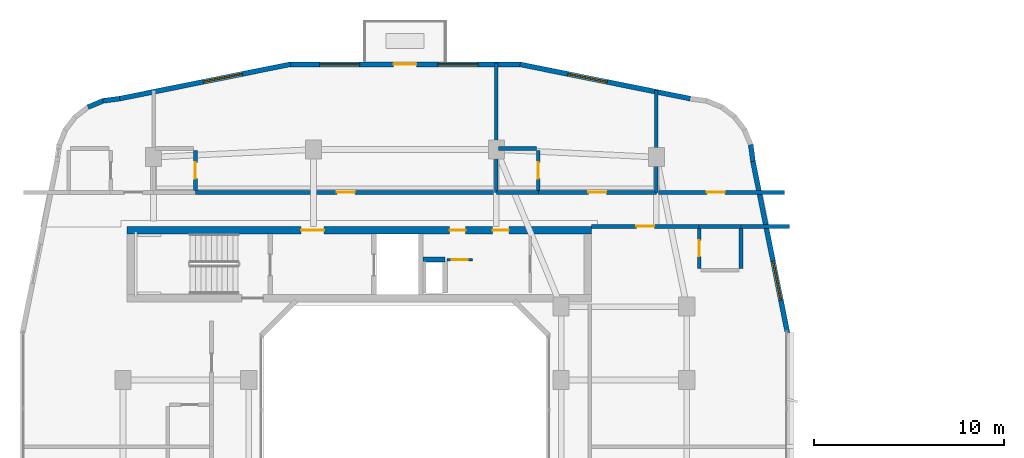
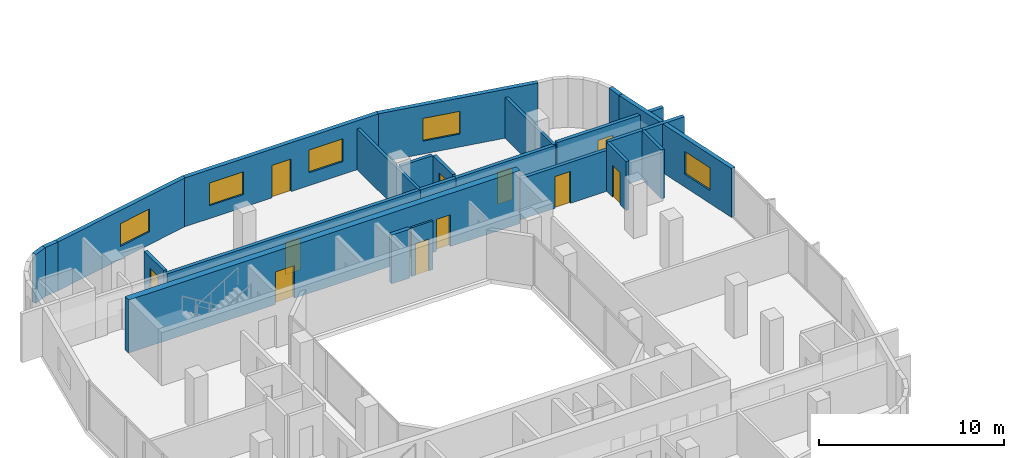
# One storey, part 8 of 13: 24 walls, 12 doors, 5 windows, 17 openings.
"""IFC4 building model written with IfcOpenShell, lengths in metres."""

from ifc_helpers import new_model, si_unit, derived_unit, direction, frame, frame_2d, origin, place, context, subcontext, project, spatial, rectangle, extrude, material, layer, layer_set, type_object, element, fill, save


model = new_model("IFC4")

# Units and contexts
model_context = context("Model", 3, precision=1e-05, world=origin(), true_north=direction((0.0, 1.0)))
body_context = subcontext(model_context, "Body", "Model", "MODEL_VIEW")
ifc_project = project(units=[si_unit("LENGTHUNIT", "METRE"), si_unit("AREAUNIT", "SQUARE_METRE"), si_unit("VOLUMEUNIT", "CUBIC_METRE"), si_unit("PLANEANGLEUNIT", "RADIAN"), si_unit("MASSUNIT", "GRAM", prefix="KILO"), derived_unit("THERMALTRANSMITTANCEUNIT", [(si_unit("POWERUNIT", "WATT"), 1), (si_unit("LENGTHUNIT", "METRE"), -2), (si_unit("THERMODYNAMICTEMPERATUREUNIT", "KELVIN"), -1)])], contexts=[model_context])

# Site, building, storey
site_placement = place(None, origin())
site = spatial("IfcSite", under=ifc_project, at=site_placement, CompositionType="ELEMENT")
building_placement = place(site_placement, origin())
building = spatial("IfcBuilding", under=site, at=building_placement, Name="Kivonza Crest Hotel", CompositionType="ELEMENT")
storey_placement = place(building_placement, frame((0.0, 0.0, 134.5)))
storey = spatial("IfcBuildingStorey", under=building, at=storey_placement, Name="L36", CompositionType="ELEMENT", Elevation=134.5)

# Walls
ifc_material_1 = material(Name="High-density acoustic masonry inter-tenancy wall", Category="masonry")
ifc_layer_1 = layer(ifc_material_1, 0.179931640625)
ifc_layer_set_1 = layer_set([ifc_layer_1], Name="High-density acoustic masonry inter-tenancy wall")
wall_type_1 = type_object("IfcWallType", Name="WL-ACOU-180", PredefinedType="SOLIDWALL", material=ifc_layer_set_1)
wall_1_placement = place(storey_placement, frame((25.800048828125, 38.35009765625, 0.0), z_axis=(0.0, 0.0, 1.0), x_axis=(0.0, 1.0, 0.0)))
element("IfcWall", 1, at=wall_1_placement, inside=storey, type_object=wall_type_1, Name="L36 interior partition WA-L36-T1N-DIV2", PredefinedType="SOLIDWALL", context=body_context, shape_type="SweptSolid", body=[
    extrude(rectangle(XDim=6.789794921875, YDim=0.179931640625, at=frame_2d((3.39501953125, 0.0))), origin(), (0.0, 0.0, 1.0), 2.695068359375),
])
wall_2_placement = place(storey_placement, frame((34.199951171875, 38.35009765625, 0.0), z_axis=(0.0, 0.0, 1.0), x_axis=(0.0, 1.0, 0.0)))
element("IfcWall", 2, at=wall_2_placement, inside=storey, type_object=wall_type_1, Name="L36 interior partition WA-L36-T1N-DIV3", PredefinedType="SOLIDWALL", context=body_context, shape_type="SweptSolid", body=[
    extrude(rectangle(XDim=5.350830078125, YDim=0.179931640625, at=frame_2d((2.67529296875, 0.0))), origin(), (0.0, 0.0, 1.0), 2.695068359375),
])

# Wall, opening, door
ifc_material_2 = material(Name="Autoclaved aerated concrete blockwork", Category="masonry")
ifc_layer_2 = layer(ifc_material_2, 0.219970703125)
ifc_layer_set_2 = layer_set([ifc_layer_2], Name="Autoclaved aerated concrete blockwork")
wall_type_2 = type_object("IfcWallType", Name="WL-ACOU-220", PredefinedType="SOLIDWALL", material=ifc_layer_set_2)
wall_3_placement = place(storey_placement, frame((10.0, 38.35009765625, 0.0), z_axis=(0.0, 0.0, 1.0), x_axis=(1.0, 0.0, 0.0)))
wall_3 = element("IfcWall", 3, at=wall_3_placement, inside=storey, type_object=wall_type_2, Name="L36 interior partition WA-L36-N02-MCORR", PredefinedType="SOLIDWALL", context=body_context, shape_type="SweptSolid", body=[
    extrude(rectangle(XDim=15.800048828125, YDim=0.219970703125, at=frame_2d((7.89990234375, 0.0))), origin(), (0.0, 0.0, 1.0), 2.695068359375),
])
opening_1_placement = place(wall_3_placement, frame((7.425048828125, 0.0, 0.0)))
opening_1 = element("IfcOpeningElement", 4, at=opening_1_placement, cuts=wall_3, Name="Opening DU-60", PredefinedType="OPENING", context=body_context, shape_type="SweptSolid", body=[
    extrude(rectangle(XDim=0.949951171875, YDim=2.10009765625, at=frame_2d((0.47509765625, 1.050048828125))), frame((0.0, 0.1201171875, 0.0), z_axis=(0.0, -1.0, 0.0), x_axis=(1.0, 0.0, 0.0)), (0.0, 0.0, 1.0), 0.239990234375),
])
ifc_material_3 = material(Name="Hardwood timber oak", Category="wood")
door_type_1 = type_object("IfcDoorType", Name="DR-UNIT-950", OperationType="NOTDEFINED", PredefinedType="DOOR", material=ifc_material_3)
door_1_placement = place(opening_1_placement, origin())
door_1 = element("IfcDoor", 5, at=door_1_placement, inside=storey, type_object=door_type_1, Name="L36 N02 guest unit entrance fire door", OperationType="SINGLE_SWING_RIGHT", OverallHeight=2.10009765625, OverallWidth=0.949951171875, PredefinedType="DOOR", context=body_context, shape_type="SweptSolid", body=[
    extrude(rectangle(XDim=0.949951171875, YDim=2.10009765625, at=frame_2d((0.47509765625, 1.050048828125))), frame((0.0, 0.02490234375, 0.0), z_axis=(0.0, -1.0, 0.0), x_axis=(1.0, 0.0, 0.0)), (0.0, 0.0, 1.0), 0.050048828125),
])
fill(opening_1, door_1)

# Wall
wall_4_placement = place(storey_placement, frame((25.800048828125, 38.35009765625, 0.0), z_axis=(0.0, 0.0, 1.0), x_axis=(1.0, 0.0, 0.0)))
element("IfcWall", 6, at=wall_4_placement, inside=storey, type_object=wall_type_2, Name="L36 interior partition WA-L36-N03-BCORR", PredefinedType="SOLIDWALL", context=body_context, shape_type="SweptSolid", body=[
    extrude(rectangle(XDim=2.199951171875, YDim=0.219970703125, at=frame_2d((1.10009765625, 0.0))), origin(), (0.0, 0.0, 1.0), 2.695068359375),
])

# Wall, opening, door
wall_5_placement = place(storey_placement, frame((28.0, 38.35009765625, 0.0), z_axis=(0.0, 0.0, 1.0), x_axis=(1.0, 0.0, 0.0)))
wall_5 = element("IfcWall", 7, at=wall_5_placement, inside=storey, type_object=wall_type_2, Name="L36 interior partition WA-L36-N03-MCORR", PredefinedType="SOLIDWALL", context=body_context, shape_type="SweptSolid", body=[
    extrude(rectangle(XDim=6.199951171875, YDim=0.219970703125, at=frame_2d((3.10009765625, 0.0))), origin(), (0.0, 0.0, 1.0), 2.695068359375),
])
opening_2_placement = place(wall_5_placement, frame((2.625, 0.0, 0.0)))
opening_2 = element("IfcOpeningElement", 8, at=opening_2_placement, cuts=wall_5, Name="Opening DU-60", PredefinedType="OPENING", context=body_context, shape_type="SweptSolid", body=[
    extrude(rectangle(XDim=0.949951171875, YDim=2.10009765625, at=frame_2d((0.47509765625, 1.050048828125))), frame((0.0, 0.1201171875, 0.0), z_axis=(0.0, -1.0, 0.0), x_axis=(1.0, 0.0, 0.0)), (0.0, 0.0, 1.0), 0.239990234375),
])
door_2_placement = place(opening_2_placement, origin())
door_2 = element("IfcDoor", 9, at=door_2_placement, inside=storey, type_object=door_type_1, Name="L36 N03 guest unit entrance fire door", OperationType="SINGLE_SWING_LEFT", OverallHeight=2.10009765625, OverallWidth=0.949951171875, PredefinedType="DOOR", context=body_context, shape_type="SweptSolid", body=[
    extrude(rectangle(XDim=0.949951171875, YDim=2.10009765625, at=frame_2d((0.47509765625, 1.050048828125))), frame((0.0, 0.02490234375, 0.0), z_axis=(0.0, -1.0, 0.0), x_axis=(1.0, 0.0, 0.0)), (0.0, 0.0, 1.0), 0.050048828125),
])
fill(opening_2, door_2)

wall_6_placement = place(storey_placement, frame((34.300048828125, 38.35009765625, 0.0), z_axis=(0.0, 0.0, 1.0), x_axis=(1.0, 0.0, 0.0)))
wall_6 = element("IfcWall", 10, at=wall_6_placement, inside=storey, type_object=wall_type_2, Name="L36 interior partition WA-L36-N-AMEN-S", PredefinedType="SOLIDWALL", context=body_context, shape_type="SweptSolid", body=[
    extrude(rectangle(XDim=6.639892578125, YDim=0.219970703125, at=frame_2d((3.31982421875, 0.0))), origin(), (0.0, 0.0, 1.0), 2.8349609375),
])
opening_3_placement = place(wall_6_placement, frame((2.550048828125, 0.0, 0.0)))
opening_3 = element("IfcOpeningElement", 11, at=opening_3_placement, cuts=wall_6, Name="Opening DF-60S", PredefinedType="OPENING", context=body_context, shape_type="SweptSolid", body=[
    extrude(rectangle(XDim=0.949951171875, YDim=2.10009765625, at=frame_2d((0.47509765625, 1.050048828125))), frame((0.0, 0.1201171875, 0.0), z_axis=(0.0, -1.0, 0.0), x_axis=(1.0, 0.0, 0.0)), (0.0, 0.0, 1.0), 0.239990234375),
])
door_type_2 = type_object("IfcDoorType", Name="DR-FD60-950", OperationType="NOTDEFINED", PredefinedType="DOOR", material=ifc_material_3)
door_3_placement = place(opening_3_placement, origin())
door_3 = element("IfcDoor", 12, at=door_3_placement, inside=storey, type_object=door_type_2, Name="L36 Guest Business Office door", OperationType="SINGLE_SWING_LEFT", OverallHeight=2.10009765625, OverallWidth=0.949951171875, PredefinedType="DOOR", context=body_context, shape_type="SweptSolid", body=[
    extrude(rectangle(XDim=0.949951171875, YDim=2.10009765625, at=frame_2d((0.47509765625, 1.050048828125))), frame((0.0, 0.02490234375, 0.0), z_axis=(0.0, -1.0, 0.0), x_axis=(1.0, 0.0, 0.0)), (0.0, 0.0, 1.0), 0.050048828125),
])
fill(opening_3, door_3)

# Walls
wall_7_placement = place(storey_placement, frame((38.64990234375, 36.56005859375, 0.0), z_axis=(0.0, 0.0, 1.0), x_axis=(1.0, 0.0, 0.0)))
element("IfcWall", 13, at=wall_7_placement, inside=storey, type_object=wall_type_2, Name="L36 interior partition WA-L36-EN10-XCORR", PredefinedType="SOLIDWALL", context=body_context, shape_type="SweptSolid", body=[
    extrude(rectangle(XDim=2.550048828125, YDim=0.219970703125, at=frame_2d((1.27490234375, 0.0))), origin(), (0.0, 0.0, 1.0), 3.219970703125),
])
wall_8_placement = place(storey_placement, frame((36.449951171875, 36.56005859375, 0.0), z_axis=(0.0, 0.0, 1.0), x_axis=(1.0, 0.0, 0.0)))
element("IfcWall", 14, at=wall_8_placement, inside=storey, type_object=wall_type_2, Name="L36 interior partition WA-L36-EN10-BCORR", PredefinedType="SOLIDWALL", context=body_context, shape_type="SweptSolid", body=[
    extrude(rectangle(XDim=2.199951171875, YDim=0.219970703125, at=frame_2d((1.10009765625, 0.0))), origin(), (0.0, 0.0, 1.0), 3.219970703125),
])

# Wall, opening, door
wall_9_placement = place(storey_placement, frame((30.800048828125, 36.56005859375, 0.0), z_axis=(0.0, 0.0, 1.0), x_axis=(1.0, 0.0, 0.0)))
wall_9 = element("IfcWall", 15, at=wall_9_placement, inside=storey, type_object=wall_type_2, Name="L36 interior partition WA-L36-EN10-MCORR", PredefinedType="SOLIDWALL", context=body_context, shape_type="SweptSolid", body=[
    extrude(rectangle(XDim=5.64990234375, YDim=0.219970703125, at=frame_2d((2.824951171875, 0.0))), origin(), (0.0, 0.0, 1.0), 2.695068359375),
])
opening_4_placement = place(wall_9_placement, frame((2.35009765625, 0.0, 0.0)))
opening_4 = element("IfcOpeningElement", 16, at=opening_4_placement, cuts=wall_9, Name="Opening DU-60", PredefinedType="OPENING", context=body_context, shape_type="SweptSolid", body=[
    extrude(rectangle(XDim=0.949951171875, YDim=2.10009765625, at=frame_2d((0.47509765625, 1.050048828125))), frame((0.0, 0.1201171875, 0.0), z_axis=(0.0, -1.0, 0.0), x_axis=(1.0, 0.0, 0.0)), (0.0, 0.0, 1.0), 0.239990234375),
])
door_4_placement = place(opening_4_placement, frame((0.949951171875, 0.0, 0.0), z_axis=(0.0, 0.0, 1.0), x_axis=(-1.0, 0.0, 0.0)))
door_4 = element("IfcDoor", 17, at=door_4_placement, inside=storey, type_object=door_type_1, Name="L36 EN10 guest unit entrance fire door", OperationType="SINGLE_SWING_LEFT", OverallHeight=2.10009765625, OverallWidth=0.949951171875, PredefinedType="DOOR", context=body_context, shape_type="SweptSolid", body=[
    extrude(rectangle(XDim=0.949951171875, YDim=2.10009765625, at=frame_2d((0.47509765625, 1.050048828125))), frame((0.0, 0.02490234375, 0.0), z_axis=(0.0, -1.0, 0.0), x_axis=(1.0, 0.0, 0.0)), (0.0, 0.0, 1.0), 0.050048828125),
])
fill(opening_4, door_4)

# Wall, openings, doors
ifc_material_4 = material(Name="Concrete C50/60", Category="concrete")
ifc_layer_3 = layer(ifc_material_4, 0.39990234375)
ifc_layer_set_3 = layer_set([ifc_layer_3], Name="Concrete C50/60")
wall_type_3 = type_object("IfcWallType", Name="WL-CORE-400", PredefinedType="SHEAR", material=ifc_layer_set_3)
wall_10_placement = place(storey_placement, frame((6.39990234375, 36.360107421875, 0.0), z_axis=(0.0, 0.0, 1.0), x_axis=(1.0, 0.0, 0.0)))
wall_10 = element("IfcWall", 18, at=wall_10_placement, inside=storey, type_object=wall_type_3, Name="Core wall T1-N North L36", PredefinedType="SHEAR", context=body_context, shape_type="SweptSolid", body=[
    extrude(rectangle(XDim=24.400146484375, YDim=0.39990234375, at=frame_2d((12.2001953125, 0.0))), origin(), (0.0, 0.0, 1.0), 3.5),
])
opening_5_placement = place(wall_10_placement, frame((9.14990234375, 0.0, 0.0)))
opening_5 = element("IfcOpeningElement", 19, at=opening_5_placement, cuts=wall_10, Name="Opening DF-60", PredefinedType="OPENING", context=body_context, shape_type="SweptSolid", body=[
    extrude(rectangle(XDim=1.199951171875, YDim=2.14990234375, at=frame_2d((0.60009765625, 1.074951171875))), frame((0.0, 0.2099609375, 0.0), z_axis=(0.0, -1.0, 0.0), x_axis=(1.0, 0.0, 0.0)), (0.0, 0.0, 1.0), 0.419921875),
])
opening_6_placement = place(wall_10_placement, frame((19.199951171875, 0.0, 0.0)))
opening_6 = element("IfcOpeningElement", 20, at=opening_6_placement, cuts=wall_10, Name="Opening DF-60R", PredefinedType="OPENING", context=body_context, shape_type="SweptSolid", body=[
    extrude(rectangle(XDim=0.85009765625, YDim=2.10009765625, at=frame_2d((0.425048828125, 1.050048828125))), frame((0.0, 0.2099609375, 0.0), z_axis=(0.0, -1.0, 0.0), x_axis=(1.0, 0.0, 0.0)), (0.0, 0.0, 1.0), 0.419921875),
])
opening_7_placement = place(wall_10_placement, frame((16.93994140625, 0.0, 0.0)))
opening_7 = element("IfcOpeningElement", 21, at=opening_7_placement, cuts=wall_10, Name="Opening DF-60R", PredefinedType="OPENING", context=body_context, shape_type="SweptSolid", body=[
    extrude(rectangle(XDim=0.85009765625, YDim=2.10009765625, at=frame_2d((0.425048828125, 1.050048828125))), frame((0.0, 0.2099609375, 0.0), z_axis=(0.0, -1.0, 0.0), x_axis=(1.0, 0.0, 0.0)), (0.0, 0.0, 1.0), 0.419921875),
])
door_type_3 = type_object("IfcDoorType", Name="DR-FD60-1200", OperationType="NOTDEFINED", PredefinedType="DOOR", material=ifc_material_3)
door_5_placement = place(opening_5_placement, origin())
door_5 = element("IfcDoor", 22, at=door_5_placement, inside=storey, type_object=door_type_3, Name="L36 T1-N firefighting lobby fire door", OperationType="SINGLE_SWING_RIGHT", OverallHeight=2.14990234375, OverallWidth=1.199951171875, PredefinedType="DOOR", context=body_context, shape_type="SweptSolid", body=[
    extrude(rectangle(XDim=1.199951171875, YDim=2.14990234375, at=frame_2d((0.60009765625, 1.074951171875))), frame((0.0, 0.02490234375, 0.0), z_axis=(0.0, -1.0, 0.0), x_axis=(1.0, 0.0, 0.0)), (0.0, 0.0, 1.0), 0.050048828125),
])
fill(opening_5, door_5)
door_type_4 = type_object("IfcDoorType", Name="DR-FD60-850", OperationType="NOTDEFINED", PredefinedType="DOOR", material=ifc_material_3)
door_6_placement = place(opening_6_placement, origin())
door_6 = element("IfcDoor", 23, at=door_6_placement, inside=storey, type_object=door_type_4, Name="L36 T1-N reclaimed core service door", OperationType="SINGLE_SWING_LEFT", OverallHeight=2.10009765625, OverallWidth=0.85009765625, PredefinedType="DOOR", context=body_context, shape_type="SweptSolid", body=[
    extrude(rectangle(XDim=0.85009765625, YDim=2.10009765625, at=frame_2d((0.425048828125, 1.050048828125))), frame((0.0, 0.02490234375, 0.0), z_axis=(0.0, -1.0, 0.0), x_axis=(1.0, 0.0, 0.0)), (0.0, 0.0, 1.0), 0.050048828125),
])
fill(opening_6, door_6)
door_7_placement = place(opening_7_placement, origin())
door_7 = element("IfcDoor", 24, at=door_7_placement, inside=storey, type_object=door_type_4, Name="L36 T1-N core room door", OperationType="SINGLE_SWING_RIGHT", OverallHeight=2.10009765625, OverallWidth=0.85009765625, PredefinedType="DOOR", context=body_context, shape_type="SweptSolid", body=[
    extrude(rectangle(XDim=0.85009765625, YDim=2.10009765625, at=frame_2d((0.425048828125, 1.050048828125))), frame((0.0, 0.02490234375, 0.0), z_axis=(0.0, -1.0, 0.0), x_axis=(1.0, 0.0, 0.0)), (0.0, 0.0, 1.0), 0.050048828125),
])
fill(opening_7, door_7)

# Wall, opening, window
ifc_material_5 = material(Name="Precast concrete C40/50", Category="concrete")
ifc_layer_4 = layer(ifc_material_5, 0.260009765625)
ifc_layer_set_4 = layer_set([ifc_layer_4], Name="Precast concrete C40/50")
wall_type_4 = type_object("IfcWallType", Name="WL-EXT-260", PredefinedType="STANDARD", material=ifc_layer_set_4)
wall_11_placement = place(storey_placement, frame((41.083984375, 30.97998046875, 0.0), z_axis=(0.0, 0.0, 1.0), x_axis=(-0.197435082048, 0.980315963543, 0.0)))
wall_11 = element("IfcWall", 25, at=wall_11_placement, inside=storey, type_object=wall_type_4, Name="L36 T1 exterior insulated wall 18", PredefinedType="STANDARD", context=body_context, shape_type="SweptSolid", body=[
    extrude(rectangle(XDim=9.1826171875, YDim=0.260009765625, at=frame_2d((4.59130859375, 0.0))), origin(), (0.0, 0.0, 1.0), 3.219970703125),
])
opening_8_placement = place(wall_11_placement, frame((1.73388671875, 0.0, 0.85009765625)))
opening_8 = element("IfcOpeningElement", 26, at=opening_8_placement, cuts=wall_11, Name="Opening WN-04", PredefinedType="OPENING", context=body_context, shape_type="SweptSolid", body=[
    extrude(rectangle(XDim=2.10009765625, YDim=1.5, at=frame_2d((1.050048828125, 0.75))), frame((0.0, 0.14013671875, 0.0), z_axis=(0.0, -1.0, 0.0), x_axis=(1.0, 0.0, 0.0)), (0.0, 0.0, 1.0), 0.280029296875),
])
ifc_material_6 = material(Name="Thermally broken bronze aluminium and low-E double glazing", Category="aluminium")
window_type = type_object("IfcWindowType", Name="WN-210x150", PartitioningType="DOUBLE_PANEL_VERTICAL", PredefinedType="WINDOW", material=ifc_material_6)
window_1_placement = place(opening_8_placement, origin())
window_1 = element("IfcWindow", 27, at=window_1_placement, inside=storey, type_object=window_type, Name="L36 T1 facade window 18", OverallHeight=1.5, OverallWidth=2.10009765625, PartitioningType="SINGLE_PANEL", PredefinedType="WINDOW", context=body_context, shape_type="SweptSolid", body=[
    extrude(rectangle(XDim=2.10009765625, YDim=1.5, at=frame_2d((1.050048828125, 0.75))), frame((0.0, 0.030029296875, 0.0), z_axis=(0.0, -1.0, 0.0), x_axis=(1.0, 0.0, 0.0)), (0.0, 0.0, 1.0), 0.06005859375),
])
fill(opening_8, window_1)

# Wall
wall_12_placement = place(storey_placement, frame((39.27197265625, 39.97509765625, 0.0), z_axis=(0.0, 0.0, 1.0), x_axis=(-0.130953706898, 0.991388484223, 0.0)))
element("IfcWall", 28, at=wall_12_placement, inside=storey, type_object=wall_type_4, Name="L36 T1 exterior insulated wall 19", PredefinedType="STANDARD", context=body_context, shape_type="SweptSolid", body=[
    extrude(rectangle(XDim=0.885498046875, YDim=0.260009765625, at=frame_2d((0.44287109375, 0.0))), origin(), (0.0, 0.0, 1.0), 3.219970703125),
])

# Wall, opening, window
wall_13_placement = place(storey_placement, frame((35.98193359375, 43.27099609375, 0.0), z_axis=(0.0, 0.0, 1.0), x_axis=(-0.980317172899, 0.197429077186, 0.0)))
wall_13 = element("IfcWall", 29, at=wall_13_placement, inside=storey, type_object=wall_type_4, Name="L36 T1 exterior insulated wall 25", PredefinedType="STANDARD", context=body_context, shape_type="SweptSolid", body=[
    extrude(rectangle(XDim=9.117431640625, YDim=0.260009765625, at=frame_2d((4.55859375, 0.0))), origin(), (0.0, 0.0, 1.0), 3.219970703125),
])
opening_9_placement = place(wall_13_placement, frame((4.455078125, 0.0, 0.85009765625)))
opening_9 = element("IfcOpeningElement", 30, at=opening_9_placement, cuts=wall_13, Name="Opening WN-04", PredefinedType="OPENING", context=body_context, shape_type="SweptSolid", body=[
    extrude(rectangle(XDim=2.10009765625, YDim=1.5, at=frame_2d((1.050048828125, 0.75))), frame((0.0, 0.14013671875, 0.0), z_axis=(0.0, -1.0, 0.0), x_axis=(1.0, 0.0, 0.0)), (0.0, 0.0, 1.0), 0.280029296875),
])
window_2_placement = place(opening_9_placement, origin())
window_2 = element("IfcWindow", 31, at=window_2_placement, inside=storey, type_object=window_type, Name="L36 T1 facade window 25", OverallHeight=1.5, OverallWidth=2.10009765625, PartitioningType="SINGLE_PANEL", PredefinedType="WINDOW", context=body_context, shape_type="SweptSolid", body=[
    extrude(rectangle(XDim=2.10009765625, YDim=1.5, at=frame_2d((1.050048828125, 0.75))), frame((0.0, 0.030029296875, 0.0), z_axis=(0.0, -1.0, 0.0), x_axis=(1.0, 0.0, 0.0)), (0.0, 0.0, 1.0), 0.06005859375),
])
fill(opening_9, window_2)

# Wall, openings, door, windows
wall_14_placement = place(storey_placement, frame((27.0849609375, 45.070068359375, 0.0), z_axis=(0.0, 0.0, 1.0), x_axis=(-1.0, 0.0, 0.0)))
wall_14 = element("IfcWall", 32, at=wall_14_placement, inside=storey, type_object=wall_type_4, Name="L36 T1 exterior insulated wall 26", PredefinedType="STANDARD", context=body_context, shape_type="SweptSolid", body=[
    extrude(rectangle(XDim=12.135009765625, YDim=0.260009765625, at=frame_2d((6.0673828125, 0.0))), origin(), (0.0, 0.0, 1.0), 3.219970703125),
])
opening_10_placement = place(wall_14_placement, frame((5.485107421875, 0.0, 0.0)))
opening_10 = element("IfcOpeningElement", 33, at=opening_10_placement, cuts=wall_14, Name="Opening DT-120", PredefinedType="OPENING", context=body_context, shape_type="SweptSolid", body=[
    extrude(rectangle(XDim=1.199951171875, YDim=2.14990234375, at=frame_2d((0.60009765625, 1.074951171875))), frame((0.0, 0.14013671875, 0.0), z_axis=(0.0, -1.0, 0.0), x_axis=(1.0, 0.0, 0.0)), (0.0, 0.0, 1.0), 0.280029296875),
])
opening_11_placement = place(wall_14_placement, frame((2.260009765625, 0.0, 0.85009765625)))
opening_11 = element("IfcOpeningElement", 34, at=opening_11_placement, cuts=wall_14, Name="Opening WN-04", PredefinedType="OPENING", context=body_context, shape_type="SweptSolid", body=[
    extrude(rectangle(XDim=2.10009765625, YDim=1.5, at=frame_2d((1.050048828125, 0.75))), frame((0.0, 0.14013671875, 0.0), z_axis=(0.0, -1.0, 0.0), x_axis=(1.0, 0.0, 0.0)), (0.0, 0.0, 1.0), 0.280029296875),
])
opening_12_placement = place(wall_14_placement, frame((8.465087890625, 0.0, 0.85009765625)))
opening_12 = element("IfcOpeningElement", 35, at=opening_12_placement, cuts=wall_14, Name="Opening WN-04", PredefinedType="OPENING", context=body_context, shape_type="SweptSolid", body=[
    extrude(rectangle(XDim=2.10009765625, YDim=1.5, at=frame_2d((1.050048828125, 0.75))), frame((0.0, 0.14013671875, 0.0), z_axis=(0.0, -1.0, 0.0), x_axis=(1.0, 0.0, 0.0)), (0.0, 0.0, 1.0), 0.280029296875),
])
ifc_material_7 = material(Name="Anodised bronze aluminium and laminated safety glass", Category="aluminium")
door_type_5 = type_object("IfcDoorType", Name="DR-TERR-1200", OperationType="NOTDEFINED", PredefinedType="DOOR", material=ifc_material_7)
door_8_placement = place(opening_10_placement, frame((1.199951171875, 0.0, 0.0), z_axis=(0.0, 0.0, 1.0), x_axis=(-1.0, 0.0, 0.0)))
door_8 = element("IfcDoor", 36, at=door_8_placement, inside=storey, type_object=door_type_5, Name="T1 L36 NE sky-garden bridge access door", OperationType="SINGLE_SWING_LEFT", OverallHeight=2.14990234375, OverallWidth=1.199951171875, PredefinedType="DOOR", context=body_context, shape_type="SweptSolid", body=[
    extrude(rectangle(XDim=1.199951171875, YDim=2.14990234375, at=frame_2d((0.60009765625, 1.074951171875))), frame((0.0, 0.02490234375, 0.0), z_axis=(0.0, -1.0, 0.0), x_axis=(1.0, 0.0, 0.0)), (0.0, 0.0, 1.0), 0.050048828125),
])
fill(opening_10, door_8)
window_3_placement = place(opening_11_placement, origin())
window_3 = element("IfcWindow", 37, at=window_3_placement, inside=storey, type_object=window_type, Name="L36 T1 facade window 26 bay 1", OverallHeight=1.5, OverallWidth=2.10009765625, PartitioningType="SINGLE_PANEL", PredefinedType="WINDOW", context=body_context, shape_type="SweptSolid", body=[
    extrude(rectangle(XDim=2.10009765625, YDim=1.5, at=frame_2d((1.050048828125, 0.75))), frame((0.0, 0.030029296875, 0.0), z_axis=(0.0, -1.0, 0.0), x_axis=(1.0, 0.0, 0.0)), (0.0, 0.0, 1.0), 0.06005859375),
])
fill(opening_11, window_3)
window_4_placement = place(opening_12_placement, origin())
window_4 = element("IfcWindow", 38, at=window_4_placement, inside=storey, type_object=window_type, Name="L36 T1 facade window 26 bay 2", OverallHeight=1.5, OverallWidth=2.10009765625, PartitioningType="SINGLE_PANEL", PredefinedType="WINDOW", context=body_context, shape_type="SweptSolid", body=[
    extrude(rectangle(XDim=2.10009765625, YDim=1.5, at=frame_2d((1.050048828125, 0.75))), frame((0.0, 0.030029296875, 0.0), z_axis=(0.0, -1.0, 0.0), x_axis=(1.0, 0.0, 0.0)), (0.0, 0.0, 1.0), 0.06005859375),
])
fill(opening_12, window_4)

# Wall, opening, window
wall_15_placement = place(storey_placement, frame((14.990966796875, 45.077880859375, 0.0), z_axis=(0.0, 0.0, 1.0), x_axis=(-0.980321298532, -0.197408590603, 0.0)))
wall_15 = element("IfcWall", 39, at=wall_15_placement, inside=storey, type_object=wall_type_4, Name="L36 T1 exterior insulated wall 27", PredefinedType="STANDARD", context=body_context, shape_type="SweptSolid", body=[
    extrude(rectangle(XDim=9.153076171875, YDim=0.260009765625, at=frame_2d((4.57666015625, 0.0))), origin(), (0.0, 0.0, 1.0), 3.219970703125),
])
opening_13_placement = place(wall_15_placement, frame((2.5810546875, 0.0, 0.85009765625)))
opening_13 = element("IfcOpeningElement", 40, at=opening_13_placement, cuts=wall_15, Name="Opening WN-04", PredefinedType="OPENING", context=body_context, shape_type="SweptSolid", body=[
    extrude(rectangle(XDim=2.10009765625, YDim=1.5, at=frame_2d((1.050048828125, 0.75))), frame((0.0, 0.14013671875, 0.0), z_axis=(0.0, -1.0, 0.0), x_axis=(1.0, 0.0, 0.0)), (0.0, 0.0, 1.0), 0.280029296875),
])
window_5_placement = place(opening_13_placement, origin())
window_5 = element("IfcWindow", 41, at=window_5_placement, inside=storey, type_object=window_type, Name="L36 T1 facade window 27", OverallHeight=1.5, OverallWidth=2.10009765625, PartitioningType="SINGLE_PANEL", PredefinedType="WINDOW", context=body_context, shape_type="SweptSolid", body=[
    extrude(rectangle(XDim=2.10009765625, YDim=1.5, at=frame_2d((1.050048828125, 0.75))), frame((0.0, 0.030029296875, 0.0), z_axis=(0.0, -1.0, 0.0), x_axis=(1.0, 0.0, 0.0)), (0.0, 0.0, 1.0), 0.06005859375),
])
fill(opening_13, window_5)

# Walls
wall_16_placement = place(storey_placement, frame((6.02490234375, 43.27197265625, 0.0), z_axis=(0.0, 0.0, 1.0), x_axis=(-0.991388484223, -0.130953706898, 0.0)))
element("IfcWall", 42, at=wall_16_placement, inside=storey, type_object=wall_type_4, Name="L36 T1 exterior insulated wall 28", PredefinedType="STANDARD", context=body_context, shape_type="SweptSolid", body=[
    extrude(rectangle(XDim=0.885498046875, YDim=0.260009765625, at=frame_2d((0.44287109375, 0.0))), origin(), (0.0, 0.0, 1.0), 3.219970703125),
])
wall_17_placement = place(storey_placement, frame((5.193115234375, 43.174072265625, 0.0), z_axis=(0.0, 0.0, 1.0), x_axis=(-0.923627776508, -0.383290660547, 0.0)))
element("IfcWall", 43, at=wall_17_placement, inside=storey, type_object=wall_type_4, Name="L36 T1 exterior insulated wall 29", PredefinedType="STANDARD", context=body_context, shape_type="SweptSolid", body=[
    extrude(rectangle(XDim=0.9033203125, YDim=0.260009765625, at=frame_2d((0.45166015625, 0.0))), origin(), (0.0, 0.0, 1.0), 3.219970703125),
])
ifc_material_8 = material(Name="Concrete blockwork fire-compartment wall", Category="masonry")
ifc_layer_5 = layer(ifc_material_8, 0.25)
ifc_layer_set_5 = layer_set([ifc_layer_5], Name="Concrete blockwork fire-compartment wall")
wall_type_5 = type_object("IfcWallType", Name="WL-FIRE-250", PredefinedType="SOLIDWALL", material=ifc_layer_set_5)
wall_18_placement = place(storey_placement, frame((21.949951171875, 34.820068359375, 0.0), z_axis=(0.0, 0.0, 1.0), x_axis=(1.0, 0.0, 0.0)))
element("IfcWall", 44, at=wall_18_placement, inside=storey, type_object=wall_type_5, Name="L36 interior partition WA-L36-T1-N-MEPR-H", PredefinedType="SOLIDWALL", context=body_context, shape_type="SweptSolid", body=[
    extrude(rectangle(XDim=1.150146484375, YDim=0.25, at=frame_2d((0.5751953125, 0.0))), origin(), (0.0, 0.0, 1.0), 3.219970703125),
])

# Wall, opening, door
ifc_material_9 = material(Name="Metal-stud gypsum board partition", Category="gypsum")
ifc_layer_6 = layer(ifc_material_9, 0.125)
ifc_layer_set_6 = layer_set([ifc_layer_6], Name="Metal-stud gypsum board partition")
wall_type_6 = type_object("IfcWallType", Name="WL-PART-125", PredefinedType="PARTITIONING", material=ifc_layer_set_6)
wall_19_placement = place(storey_placement, frame((23.219970703125, 34.820068359375, 0.0), z_axis=(0.0, 0.0, 1.0), x_axis=(1.0, 0.0, 0.0)))
wall_19 = element("IfcWall", 45, at=wall_19_placement, inside=storey, type_object=wall_type_6, Name="L36 interior partition WP-L36-T1-N-SV3H", PredefinedType="PARTITIONING", context=body_context, shape_type="SweptSolid", body=[
    extrude(rectangle(XDim=1.330078125, YDim=0.125, at=frame_2d((0.6650390625, 0.0))), origin(), (0.0, 0.0, 1.0), 3.219970703125),
])
opening_14_placement = place(wall_19_placement, frame((0.239990234375, 0.0, 0.0)))
opening_14 = element("IfcOpeningElement", 46, at=opening_14_placement, cuts=wall_19, Name="Opening DI-85", PredefinedType="OPENING", context=body_context, shape_type="SweptSolid", body=[
    extrude(rectangle(XDim=0.85009765625, YDim=2.10009765625, at=frame_2d((0.425048828125, 1.050048828125))), frame((0.0, 0.072509765625, 0.0), z_axis=(0.0, -1.0, 0.0), x_axis=(1.0, 0.0, 0.0)), (0.0, 0.0, 1.0), 0.14501953125),
])
door_type_6 = type_object("IfcDoorType", Name="DR-INT-850", OperationType="NOTDEFINED", PredefinedType="DOOR", material=ifc_material_3)
door_9_placement = place(opening_14_placement, origin())
door_9 = element("IfcDoor", 47, at=door_9_placement, inside=storey, type_object=door_type_6, Name="L36 T1-N inner manifold door", OperationType="SINGLE_SWING_LEFT", OverallHeight=2.10009765625, OverallWidth=0.85009765625, PredefinedType="DOOR", context=body_context, shape_type="SweptSolid", body=[
    extrude(rectangle(XDim=0.85009765625, YDim=2.10009765625, at=frame_2d((0.425048828125, 1.050048828125))), frame((0.0, 0.02490234375, 0.0), z_axis=(0.0, -1.0, 0.0), x_axis=(1.0, 0.0, 0.0)), (0.0, 0.0, 1.0), 0.050048828125),
])
fill(opening_14, door_9)

ifc_material_10 = material(Name="Moisture-resistant plumbing chase partition wall", Category="gypsum")
ifc_layer_7 = layer(ifc_material_10, 0.199951171875)
ifc_layer_set_7 = layer_set([ifc_layer_7], Name="Moisture-resistant plumbing chase partition wall")
wall_type_7 = type_object("IfcWallType", Name="WL-PLUMB-200", PredefinedType="PLUMBINGWALL", material=ifc_layer_set_7)
wall_20_placement = place(storey_placement, frame((10.0, 38.449951171875, 0.0), z_axis=(0.0, 0.0, 1.0), x_axis=(0.0, 1.0, 0.0)))
wall_20 = element("IfcWall", 48, at=wall_20_placement, inside=storey, type_object=wall_type_7, Name="L36 interior partition WW-L36-N02-BV", PredefinedType="PLUMBINGWALL", context=body_context, shape_type="SweptSolid", body=[
    extrude(rectangle(XDim=2.10009765625, YDim=0.199951171875, at=frame_2d((1.050048828125, 0.0))), origin(), (0.0, 0.0, 1.0), 2.8349609375),
])
opening_15_placement = place(wall_20_placement, frame((0.625, 0.0, 0.0)))
opening_15 = element("IfcOpeningElement", 49, at=opening_15_placement, cuts=wall_20, Name="Opening DI-85", PredefinedType="OPENING", context=body_context, shape_type="SweptSolid", body=[
    extrude(rectangle(XDim=0.85009765625, YDim=2.10009765625, at=frame_2d((0.425048828125, 1.050048828125))), frame((0.0, 0.10986328125, 0.0), z_axis=(0.0, -1.0, 0.0), x_axis=(1.0, 0.0, 0.0)), (0.0, 0.0, 1.0), 0.219970703125),
])
door_10_placement = place(opening_15_placement, frame((0.85009765625, 0.0, 0.0), z_axis=(0.0, 0.0, 1.0), x_axis=(-1.0, 0.0, 0.0)))
door_10 = element("IfcDoor", 50, at=door_10_placement, inside=storey, type_object=door_type_6, Name="L36 N02 en-suite bathroom door", OperationType="SINGLE_SWING_LEFT", OverallHeight=2.10009765625, OverallWidth=0.85009765625, PredefinedType="DOOR", context=body_context, shape_type="SweptSolid", body=[
    extrude(rectangle(XDim=0.85009765625, YDim=2.10009765625, at=frame_2d((0.425048828125, 1.050048828125))), frame((0.0, 0.02490234375, 0.0), z_axis=(0.0, -1.0, 0.0), x_axis=(1.0, 0.0, 0.0)), (0.0, 0.0, 1.0), 0.050048828125),
])
fill(opening_15, door_10)

wall_21_placement = place(storey_placement, frame((28.0, 38.449951171875, 0.0), z_axis=(0.0, 0.0, 1.0), x_axis=(0.0, 1.0, 0.0)))
wall_21 = element("IfcWall", 51, at=wall_21_placement, inside=storey, type_object=wall_type_7, Name="L36 interior partition WW-L36-N03-BV", PredefinedType="PLUMBINGWALL", context=body_context, shape_type="SweptSolid", body=[
    extrude(rectangle(XDim=2.10009765625, YDim=0.199951171875, at=frame_2d((1.050048828125, 0.0))), origin(), (0.0, 0.0, 1.0), 2.8349609375),
])
opening_16_placement = place(wall_21_placement, frame((0.625, 0.0, 0.0)))
opening_16 = element("IfcOpeningElement", 52, at=opening_16_placement, cuts=wall_21, Name="Opening DI-85", PredefinedType="OPENING", context=body_context, shape_type="SweptSolid", body=[
    extrude(rectangle(XDim=0.85009765625, YDim=2.10009765625, at=frame_2d((0.425048828125, 1.050048828125))), frame((0.0, 0.10986328125, 0.0), z_axis=(0.0, -1.0, 0.0), x_axis=(1.0, 0.0, 0.0)), (0.0, 0.0, 1.0), 0.219970703125),
])
door_11_placement = place(opening_16_placement, frame((0.85009765625, 0.0, 0.0), z_axis=(0.0, 0.0, 1.0), x_axis=(-1.0, 0.0, 0.0)))
door_11 = element("IfcDoor", 53, at=door_11_placement, inside=storey, type_object=door_type_6, Name="L36 N03 en-suite bathroom door", OperationType="SINGLE_SWING_RIGHT", OverallHeight=2.10009765625, OverallWidth=0.85009765625, PredefinedType="DOOR", context=body_context, shape_type="SweptSolid", body=[
    extrude(rectangle(XDim=0.85009765625, YDim=2.10009765625, at=frame_2d((0.425048828125, 1.050048828125))), frame((0.0, 0.02490234375, 0.0), z_axis=(0.0, -1.0, 0.0), x_axis=(1.0, 0.0, 0.0)), (0.0, 0.0, 1.0), 0.050048828125),
])
fill(opening_16, door_11)

# Wall
wall_22_placement = place(storey_placement, frame((25.89990234375, 40.64990234375, 0.0), z_axis=(0.0, 0.0, 1.0), x_axis=(1.0, 0.0, 0.0)))
element("IfcWall", 54, at=wall_22_placement, inside=storey, type_object=wall_type_7, Name="L36 interior partition WW-L36-N03-BH", PredefinedType="PLUMBINGWALL", context=body_context, shape_type="SweptSolid", body=[
    extrude(rectangle(XDim=2.0, YDim=0.199951171875, at=frame_2d((1.0, 0.0))), origin(), (0.0, 0.0, 1.0), 2.8349609375),
])

# Wall, opening, door
wall_23_placement = place(storey_placement, frame((36.449951171875, 34.360107421875, 0.0), z_axis=(0.0, 0.0, 1.0), x_axis=(0.0, 1.0, 0.0)))
wall_23 = element("IfcWall", 55, at=wall_23_placement, inside=storey, type_object=wall_type_7, Name="L36 interior partition WW-L36-EN10-BV", PredefinedType="PLUMBINGWALL", context=body_context, shape_type="SweptSolid", body=[
    extrude(rectangle(XDim=2.099853515625, YDim=0.199951171875, at=frame_2d((1.0498046875, 0.0))), origin(), (0.0, 0.0, 1.0), 3.219970703125),
])
opening_17_placement = place(wall_23_placement, frame((0.625, 0.0, 0.0)))
opening_17 = element("IfcOpeningElement", 56, at=opening_17_placement, cuts=wall_23, Name="Opening DI-85", PredefinedType="OPENING", context=body_context, shape_type="SweptSolid", body=[
    extrude(rectangle(XDim=0.85009765625, YDim=2.10009765625, at=frame_2d((0.425048828125, 1.050048828125))), frame((0.0, 0.10986328125, 0.0), z_axis=(0.0, -1.0, 0.0), x_axis=(1.0, 0.0, 0.0)), (0.0, 0.0, 1.0), 0.219970703125),
])
door_12_placement = place(opening_17_placement, origin())
door_12 = element("IfcDoor", 57, at=door_12_placement, inside=storey, type_object=door_type_6, Name="L36 EN10 en-suite bathroom door", OperationType="SINGLE_SWING_RIGHT", OverallHeight=2.10009765625, OverallWidth=0.85009765625, PredefinedType="DOOR", context=body_context, shape_type="SweptSolid", body=[
    extrude(rectangle(XDim=0.85009765625, YDim=2.10009765625, at=frame_2d((0.425048828125, 1.050048828125))), frame((0.0, 0.02490234375, 0.0), z_axis=(0.0, -1.0, 0.0), x_axis=(1.0, 0.0, 0.0)), (0.0, 0.0, 1.0), 0.050048828125),
])
fill(opening_17, door_12)

# Wall
wall_24_placement = place(storey_placement, frame((38.64990234375, 34.360107421875, 0.0), z_axis=(0.0, 0.0, 1.0), x_axis=(0.0, 1.0, 0.0)))
element("IfcWall", 58, at=wall_24_placement, inside=storey, type_object=wall_type_7, Name="L36 interior partition WW-L36-EN10-BVE", PredefinedType="PLUMBINGWALL", context=body_context, shape_type="SweptSolid", body=[
    extrude(rectangle(XDim=2.099853515625, YDim=0.199951171875, at=frame_2d((1.0498046875, 0.0))), origin(), (0.0, 0.0, 1.0), 3.219970703125),
])

save(model, "model.ifc")
